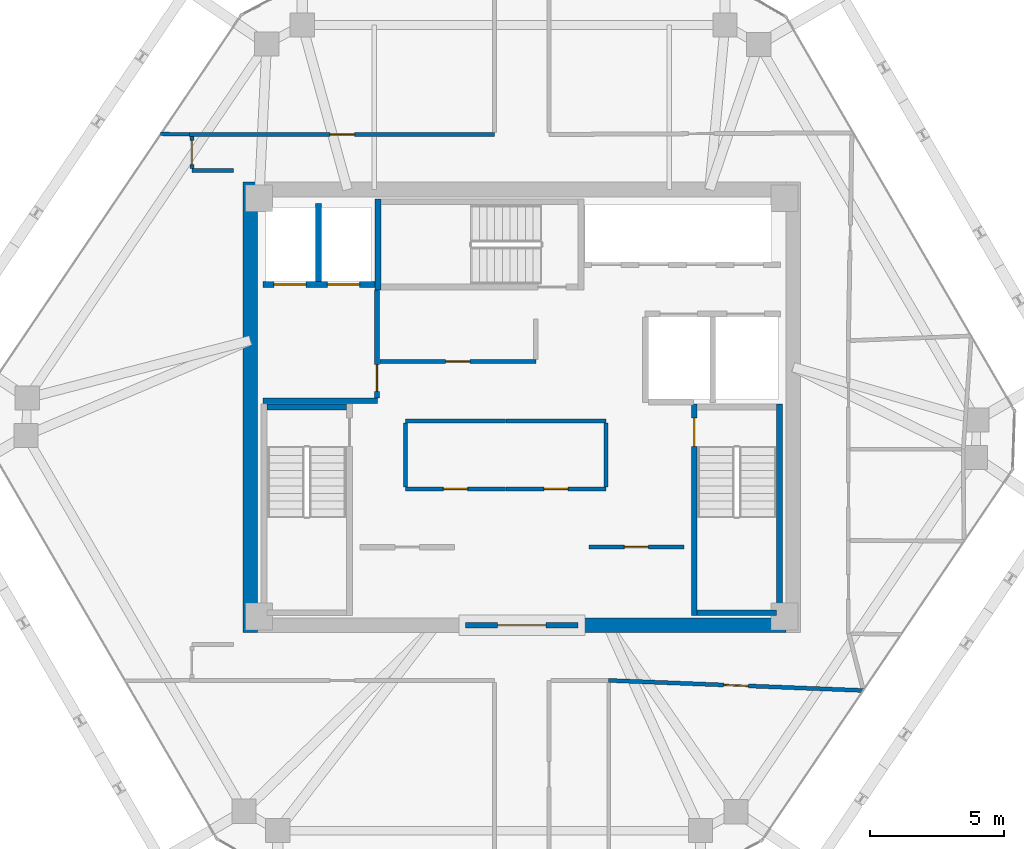
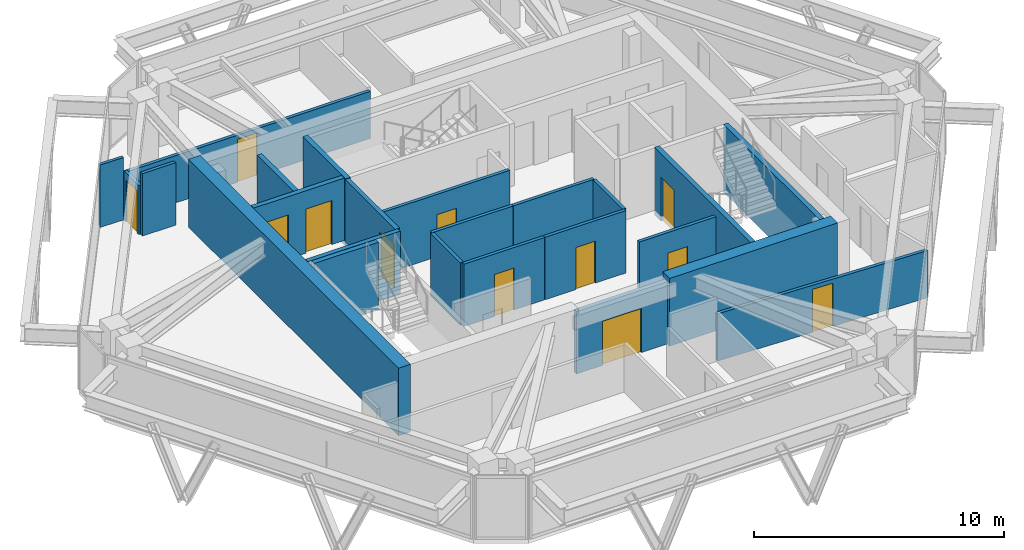
# One storey, part 8 of 11: 25 walls, 12 doors, 12 openings.
"""IFC4 building model written with IfcOpenShell, lengths in metres."""

from ifc_helpers import new_model, si_unit, direction, frame, frame_2d, origin, place, context, subcontext, project, spatial, rectangle, extrude, source, transform, mapped, material, layer, layer_set, type_object, type_shapes, element, fill, save


model = new_model("IFC4")

# Units and contexts
model_context = context("Model", 3, precision=1e-05, world=origin(), true_north=direction((0.0, 1.0)))
body_context = subcontext(model_context, "Body", "Model", "MODEL_VIEW")
ifc_project = project(units=[si_unit("LENGTHUNIT", "METRE"), si_unit("AREAUNIT", "SQUARE_METRE"), si_unit("VOLUMEUNIT", "CUBIC_METRE"), si_unit("PLANEANGLEUNIT", "RADIAN"), si_unit("MASSUNIT", "GRAM", prefix="KILO")], contexts=[model_context])

# Site, building, storey
site_placement = place(None, origin())
site = spatial("IfcSite", under=ifc_project, at=site_placement, CompositionType="ELEMENT")
building_placement = place(site_placement, origin())
building = spatial("IfcBuilding", under=site, at=building_placement, Name="Durnholm Broadcast Tower", CompositionType="ELEMENT")
storey_placement = place(building_placement, frame((0.0, 0.0, 224.89990234375)))
storey = spatial("IfcBuildingStorey", under=building, at=storey_placement, Name="L62", CompositionType="ELEMENT", Elevation=224.89990234375)

# Walls
ifc_material_1 = material(Name="Concrete C70/85", Category="concrete")
ifc_layer_1 = layer(ifc_material_1, 0.550048828125)
ifc_layer_set_1 = layer_set([ifc_layer_1], Name="Concrete C70/85")
wall_type_1 = type_object("IfcWallType", Name="WALL-CW-550", PredefinedType="SHEAR", material=ifc_layer_set_1)
wall_1_placement = place(storey_placement, frame((-10.125, -8.39990234375, 0.0), z_axis=(0.0, 0.0, 1.0), x_axis=(0.0, 1.0, 0.0)))
element("IfcWall", 1, at=wall_1_placement, inside=storey, type_object=wall_type_1, Name="L62 central core shear wall CW-WEST", PredefinedType="SHEAR", context=body_context, shape_type="SweptSolid", body=[
    extrude(rectangle(XDim=16.7998046875, YDim=0.550048828125, at=frame_2d((8.39990234375, 0.0))), origin(), (0.0, 0.0, 1.0), 3.300048828125),
])
wall_2_placement = place(storey_placement, frame((2.10009765625, -8.125, 0.0), z_axis=(0.0, 0.0, 1.0), x_axis=(1.0, 0.0, 0.0)))
element("IfcWall", 2, at=wall_2_placement, inside=storey, type_object=wall_type_1, Name="L62 central core shear wall CW-S2", PredefinedType="SHEAR", context=body_context, shape_type="SweptSolid", body=[
    extrude(rectangle(XDim=7.75, YDim=0.550048828125, at=frame_2d((3.875, 0.0))), origin(), (0.0, 0.0, 1.0), 3.300048828125),
])

# Wall, opening, door
ifc_material_2 = material(Name="Fire-Rated Gypsum Shaftwall", Category="concrete")
ifc_layer_2 = layer(ifc_material_2, 0.199951171875)
ifc_layer_set_2 = layer_set([ifc_layer_2], Name="Fire-Rated Gypsum Shaftwall")
wall_type_2 = type_object("IfcWallType", Name="WALL-LOB-200", PredefinedType="SOLIDWALL", material=ifc_layer_set_2)
wall_3_placement = place(storey_placement, frame((-2.10009765625, -8.125, 0.0), z_axis=(0.0, 0.0, 1.0), x_axis=(1.0, 0.0, 0.0)))
wall_3 = element("IfcWall", 3, at=wall_3_placement, inside=storey, type_object=wall_type_2, Name="L62 south core lobby fire screen", PredefinedType="SOLIDWALL", context=body_context, shape_type="SweptSolid", body=[
    extrude(rectangle(XDim=4.2001953125, YDim=0.199951171875, at=frame_2d((2.10009765625, 0.0))), origin(), (0.0, 0.0, 1.0), 3.045166015625),
])
opening_1_placement = place(wall_3_placement, frame((1.199951171875, 0.0, 0.0)))
opening_1 = element("IfcOpeningElement", 4, at=opening_1_placement, cuts=wall_3, Name="Opening DP-60", PredefinedType="OPENING", context=body_context, shape_type="SweptSolid", body=[
    extrude(rectangle(XDim=1.800048828125, YDim=2.14990234375, at=frame_2d((0.89990234375, 1.074951171875))), frame((0.0, 0.10986328125, 0.0), z_axis=(0.0, -1.0, 0.0), x_axis=(1.0, 0.0, 0.0)), (0.0, 0.0, 1.0), 0.219970703125),
])
ifc_material_3 = material(Name="Fire-Rated Double Corridor Door", Category="steel")
ifc_layer_3 = layer(ifc_material_3, 0.050048828125)
ifc_layer_set_3 = layer_set([ifc_layer_3], Name="Fire-Rated Double Corridor Door")
door_type_1 = type_object("IfcDoorType", Name="DOOR-PAIR-FD60", OperationType="DOUBLE_DOOR_SINGLE_SWING", PredefinedType="DOOR", material=ifc_layer_set_3)
shared_shape_1 = source(origin(), body_context, "Body", "SweptSolid", [
    extrude(rectangle(XDim=1.800048828125, YDim=2.14990234375, at=frame_2d((0.89990234375, 1.074951171875))), frame((0.0, 0.02490234375, 0.0), z_axis=(0.0, -1.0, 0.0), x_axis=(1.0, 0.0, 0.0)), (0.0, 0.0, 1.0), 0.050048828125),
])
type_shapes(door_type_1, [shared_shape_1])
door_1_placement = place(opening_1_placement, origin())
door_1 = element("IfcDoor", 5, at=door_1_placement, inside=storey, type_object=door_type_1, Name="L62 south core lobby double fire door", OperationType="DOUBLE_DOOR_SINGLE_SWING", OverallHeight=2.14990234375, OverallWidth=1.800048828125, PredefinedType="DOOR", context=body_context, shape_type="MappedRepresentation", body=[
    mapped(shared_shape_1, transform((0.0, 0.0, 0.0), x_axis=(1.0, 0.0, 0.0), y_axis=(0.0, 1.0, 0.0), z_axis=(0.0, 0.0, 1.0), scale=1.0)),
])
fill(opening_1, door_1)

# Wall
wall_4_placement = place(storey_placement, frame((-9.64990234375, 0.25, 0.0), z_axis=(0.0, 0.0, 1.0), x_axis=(1.0, 0.0, 0.0)))
element("IfcWall", 6, at=wall_4_placement, inside=storey, type_object=wall_type_2, Name="L62 Fire Service Access Elevator lobby south wall", PredefinedType="SOLIDWALL", context=body_context, shape_type="SweptSolid", body=[
    extrude(rectangle(XDim=4.27001953125, YDim=0.199951171875, at=frame_2d((2.135009765625, 0.0))), origin(), (0.0, 0.0, 1.0), 3.045166015625),
])

# Wall, opening, door
wall_5_placement = place(storey_placement, frame((-5.39990234375, 0.35400390625, 0.0), z_axis=(0.0, 0.0, 1.0), x_axis=(0.0, 1.0, 0.0)))
wall_5 = element("IfcWall", 7, at=wall_5_placement, inside=storey, type_object=wall_type_2, Name="L62 Fire Service Access Elevator lobby east fire wall", PredefinedType="SOLIDWALL", context=body_context, shape_type="SweptSolid", body=[
    extrude(rectangle(XDim=4.02587890625, YDim=0.199951171875, at=frame_2d((2.012939453125, 0.0))), origin(), (0.0, 0.0, 1.0), 3.045166015625),
])
opening_2_placement = place(wall_5_placement, frame((0.24609375, 0.0, 0.0)))
opening_2 = element("IfcOpeningElement", 8, at=opening_2_placement, cuts=wall_5, Name="Opening DL-60L", PredefinedType="OPENING", context=body_context, shape_type="SweptSolid", body=[
    extrude(rectangle(XDim=1.0, YDim=2.14990234375, at=frame_2d((0.5, 1.074951171875))), frame((0.0, 0.10986328125, 0.0), z_axis=(0.0, -1.0, 0.0), x_axis=(1.0, 0.0, 0.0)), (0.0, 0.0, 1.0), 0.219970703125),
])
ifc_material_4 = material(Name="Fire-Rated Timber/Steel Door", Category="steel")
ifc_layer_4 = layer(ifc_material_4, 0.050048828125)
ifc_layer_set_4 = layer_set([ifc_layer_4], Name="Fire-Rated Timber/Steel Door")
door_type_2 = type_object("IfcDoorType", Name="DOOR-LOB-FD60-L", OperationType="NOTDEFINED", PredefinedType="DOOR", material=ifc_layer_set_4)
shared_shape_2 = source(origin(), body_context, "Body", "SweptSolid", [
    extrude(rectangle(XDim=1.0, YDim=2.14990234375, at=frame_2d((0.5, 1.074951171875))), frame((0.0, 0.02490234375, 0.0), z_axis=(0.0, -1.0, 0.0), x_axis=(1.0, 0.0, 0.0)), (0.0, 0.0, 1.0), 0.050048828125),
])
type_shapes(door_type_2, [shared_shape_2])
door_2_placement = place(opening_2_placement, origin())
door_2 = element("IfcDoor", 9, at=door_2_placement, inside=storey, type_object=door_type_2, Name="L62 Fire Service Access Elevator lobby smoke door", OperationType="SINGLE_SWING_LEFT", OverallHeight=2.14990234375, OverallWidth=1.0, PredefinedType="DOOR", context=body_context, shape_type="MappedRepresentation", body=[
    mapped(shared_shape_2, transform((0.0, 0.0, 0.0), x_axis=(1.0, 0.0, 0.0), y_axis=(0.0, 1.0, 0.0), z_axis=(0.0, 0.0, 1.0), scale=1.0)),
])
fill(opening_2, door_2)

# Wall
ifc_material_5 = material(Name="Gypsum Metal Stud Partition", Category="concrete")
ifc_layer_5 = layer(ifc_material_5, 0.135009765625)
ifc_layer_set_5 = layer_set([ifc_layer_5], Name="Gypsum Metal Stud Partition")
wall_type_3 = type_object("IfcWallType", Name="WALL-PART-135", PredefinedType="PARTITIONING", material=ifc_layer_set_5)
wall_6_placement = place(storey_placement, frame((-12.389892578125, 10.181396484375, 0.0), z_axis=(0.0, 0.0, 1.0), x_axis=(-0.999812128272, 0.019383192748, 0.0)))
element("IfcWall", 10, at=wall_6_placement, inside=storey, type_object=wall_type_3, Name="L62 room dividing partition 9.15", PredefinedType="PARTITIONING", context=body_context, shape_type="SweptSolid", body=[
    extrude(rectangle(XDim=1.083251953125, YDim=0.135009765625, at=frame_2d((0.54150390625, 0.0))), origin(), (0.0, 0.0, 1.0), 3.045166015625),
])

# Wall, opening, door
ifc_material_6 = material(Name="Acoustic Gypsum Stud Partition", Category="concrete")
ifc_layer_6 = layer(ifc_material_6, 0.14990234375)
ifc_layer_set_6 = layer_set([ifc_layer_6], Name="Acoustic Gypsum Stud Partition")
wall_type_4 = type_object("IfcWallType", Name="WALL-PART-150", PredefinedType="PARTITIONING", material=ifc_layer_set_6)
wall_7_placement = place(storey_placement, frame((2.510009765625, -5.2099609375, 0.0), z_axis=(0.0, 0.0, 1.0), x_axis=(1.0, 0.0, 0.0)))
wall_7 = element("IfcWall", 11, at=wall_7_placement, inside=storey, type_object=wall_type_4, Name="L62 Editorial Beverage Pantry corridor partition", PredefinedType="PARTITIONING", context=body_context, shape_type="SweptSolid", body=[
    extrude(rectangle(XDim=3.530029296875, YDim=0.14990234375, at=frame_2d((1.76513671875, 0.0))), origin(), (0.0, 0.0, 1.0), 3.045166015625),
])
opening_3_placement = place(wall_7_placement, frame((1.31494140625, 0.0, 0.0)))
opening_3 = element("IfcOpeningElement", 12, at=opening_3_placement, cuts=wall_7, Name="Opening DC-60R", PredefinedType="OPENING", context=body_context, shape_type="SweptSolid", body=[
    extrude(rectangle(XDim=0.89990234375, YDim=2.050048828125, at=frame_2d((0.449951171875, 1.02490234375))), frame((0.0, 0.0849609375, 0.0), z_axis=(0.0, -1.0, 0.0), x_axis=(1.0, 0.0, 0.0)), (0.0, 0.0, 1.0), 0.169921875),
])
ifc_material_7 = material(Name="Fire-Rated Core Service Door", Category="steel")
ifc_layer_7 = layer(ifc_material_7, 0.050048828125)
ifc_layer_set_7 = layer_set([ifc_layer_7], Name="Fire-Rated Core Service Door")
door_type_3 = type_object("IfcDoorType", Name="DOOR-CORE-FD60-R", OperationType="NOTDEFINED", PredefinedType="DOOR", material=ifc_layer_set_7)
shared_shape_3 = source(origin(), body_context, "Body", "SweptSolid", [
    extrude(rectangle(XDim=0.89990234375, YDim=2.050048828125, at=frame_2d((0.449951171875, 1.02490234375))), frame((0.0, 0.02490234375, 0.0), z_axis=(0.0, -1.0, 0.0), x_axis=(1.0, 0.0, 0.0)), (0.0, 0.0, 1.0), 0.050048828125),
])
type_shapes(door_type_3, [shared_shape_3])
door_3_placement = place(opening_3_placement, origin())
door_3 = element("IfcDoor", 13, at=door_3_placement, inside=storey, type_object=door_type_3, Name="L62 Editorial Beverage Pantry entrance door", OperationType="SINGLE_SWING_RIGHT", OverallHeight=2.050048828125, OverallWidth=0.89990234375, PredefinedType="DOOR", context=body_context, shape_type="MappedRepresentation", body=[
    mapped(shared_shape_3, transform((0.0, 0.0, 0.0), x_axis=(1.0, 0.0, 0.0), y_axis=(0.0, 1.0, 0.0), z_axis=(0.0, 0.0, 1.0), scale=1.0)),
])
fill(opening_3, door_3)

wall_8_placement = place(storey_placement, frame((-0.610107421875, -3.0400390625, 0.0), z_axis=(0.0, 0.0, 1.0), x_axis=(-1.0, 0.0, 0.0)))
wall_8 = element("IfcWall", 14, at=wall_8_placement, inside=storey, type_object=wall_type_4, Name="L62 Digital Tape Archive Store corridor partition", PredefinedType="PARTITIONING", context=body_context, shape_type="SweptSolid", body=[
    extrude(rectangle(XDim=3.72998046875, YDim=0.14990234375, at=frame_2d((1.864990234375, 0.0))), origin(), (0.0, 0.0, 1.0), 3.045166015625),
])
opening_4_placement = place(wall_8_placement, frame((1.4150390625, 0.0, 0.0)))
opening_4 = element("IfcOpeningElement", 15, at=opening_4_placement, cuts=wall_8, Name="Opening DC-60L", PredefinedType="OPENING", context=body_context, shape_type="SweptSolid", body=[
    extrude(rectangle(XDim=0.89990234375, YDim=2.050048828125, at=frame_2d((0.449951171875, 1.02490234375))), frame((0.0, 0.0849609375, 0.0), z_axis=(0.0, -1.0, 0.0), x_axis=(1.0, 0.0, 0.0)), (0.0, 0.0, 1.0), 0.169921875),
])
ifc_layer_8 = layer(ifc_material_7, 0.050048828125)
ifc_layer_set_8 = layer_set([ifc_layer_8], Name="Fire-Rated Core Service Door")
door_type_4 = type_object("IfcDoorType", Name="DOOR-CORE-FD60-L", OperationType="NOTDEFINED", PredefinedType="DOOR", material=ifc_layer_set_8)
shared_shape_4 = source(origin(), body_context, "Body", "SweptSolid", [
    extrude(rectangle(XDim=0.89990234375, YDim=2.050048828125, at=frame_2d((0.449951171875, 1.02490234375))), frame((0.0, 0.02490234375, 0.0), z_axis=(0.0, -1.0, 0.0), x_axis=(1.0, 0.0, 0.0)), (0.0, 0.0, 1.0), 0.050048828125),
])
type_shapes(door_type_4, [shared_shape_4])
door_4_placement = place(opening_4_placement, origin())
door_4 = element("IfcDoor", 16, at=door_4_placement, inside=storey, type_object=door_type_4, Name="L62 Digital Tape Archive Store entrance door", OperationType="SINGLE_SWING_LEFT", OverallHeight=2.050048828125, OverallWidth=0.89990234375, PredefinedType="DOOR", context=body_context, shape_type="MappedRepresentation", body=[
    mapped(shared_shape_4, transform((0.0, 0.0, 0.0), x_axis=(1.0, 0.0, 0.0), y_axis=(0.0, 1.0, 0.0), z_axis=(0.0, 0.0, 1.0), scale=1.0)),
])
fill(opening_4, door_4)

# Walls
wall_9_placement = place(storey_placement, frame((-4.340087890625, -0.510009765625, 0.0), z_axis=(0.0, 0.0, 1.0), x_axis=(1.0, 0.0, 0.0)))
element("IfcWall", 17, at=wall_9_placement, inside=storey, type_object=wall_type_4, Name="L62 Digital Tape Archive Store corridor partition", PredefinedType="PARTITIONING", context=body_context, shape_type="SweptSolid", body=[
    extrude(rectangle(XDim=3.72998046875, YDim=0.14990234375, at=frame_2d((1.864990234375, 0.0))), origin(), (0.0, 0.0, 1.0), 3.045166015625),
])
wall_10_placement = place(storey_placement, frame((-4.340087890625, -2.9609375, 0.0), z_axis=(0.0, 0.0, 1.0), x_axis=(0.0, 1.0, 0.0)))
element("IfcWall", 18, at=wall_10_placement, inside=storey, type_object=wall_type_4, Name="L62 Digital Tape Archive Store corridor partition", PredefinedType="PARTITIONING", context=body_context, shape_type="SweptSolid", body=[
    extrude(rectangle(XDim=2.371826171875, YDim=0.14990234375, at=frame_2d((1.18603515625, 0.0))), origin(), (0.0, 0.0, 1.0), 3.045166015625),
])

# Wall, opening, door
wall_11_placement = place(storey_placement, frame((3.139892578125, -3.0400390625, 0.0), z_axis=(0.0, 0.0, 1.0), x_axis=(-1.0, 0.0, 0.0)))
wall_11 = element("IfcWall", 19, at=wall_11_placement, inside=storey, type_object=wall_type_4, Name="L62 High-Rise Refreshment Pantry corridor partition", PredefinedType="PARTITIONING", context=body_context, shape_type="SweptSolid", body=[
    extrude(rectangle(XDim=3.72998046875, YDim=0.14990234375, at=frame_2d((1.864990234375, 0.0))), origin(), (0.0, 0.0, 1.0), 3.045166015625),
])
opening_5_placement = place(wall_11_placement, frame((1.4150390625, 0.0, 0.0)))
opening_5 = element("IfcOpeningElement", 20, at=opening_5_placement, cuts=wall_11, Name="Opening DC-60R", PredefinedType="OPENING", context=body_context, shape_type="SweptSolid", body=[
    extrude(rectangle(XDim=0.89990234375, YDim=2.050048828125, at=frame_2d((0.449951171875, 1.02490234375))), frame((0.0, 0.0849609375, 0.0), z_axis=(0.0, -1.0, 0.0), x_axis=(1.0, 0.0, 0.0)), (0.0, 0.0, 1.0), 0.169921875),
])
door_5_placement = place(opening_5_placement, origin())
door_5 = element("IfcDoor", 21, at=door_5_placement, inside=storey, type_object=door_type_3, Name="L62 High-Rise Refreshment Pantry entrance door", OperationType="SINGLE_SWING_RIGHT", OverallHeight=2.050048828125, OverallWidth=0.89990234375, PredefinedType="DOOR", context=body_context, shape_type="MappedRepresentation", body=[
    mapped(shared_shape_3, transform((0.0, 0.0, 0.0), x_axis=(1.0, 0.0, 0.0), y_axis=(0.0, 1.0, 0.0), z_axis=(0.0, 0.0, 1.0), scale=1.0)),
])
fill(opening_5, door_5)

# Walls
wall_12_placement = place(storey_placement, frame((-0.590087890625, -0.510009765625, 0.0), z_axis=(0.0, 0.0, 1.0), x_axis=(1.0, 0.0, 0.0)))
element("IfcWall", 22, at=wall_12_placement, inside=storey, type_object=wall_type_4, Name="L62 High-Rise Refreshment Pantry corridor partition", PredefinedType="PARTITIONING", context=body_context, shape_type="SweptSolid", body=[
    extrude(rectangle(XDim=3.72998046875, YDim=0.14990234375, at=frame_2d((1.864990234375, 0.0))), origin(), (0.0, 0.0, 1.0), 3.045166015625),
])
wall_13_placement = place(storey_placement, frame((3.139892578125, -0.589111328125, 0.0), z_axis=(0.0, 0.0, 1.0), x_axis=(0.0, -1.0, 0.0)))
element("IfcWall", 23, at=wall_13_placement, inside=storey, type_object=wall_type_4, Name="L62 High-Rise Refreshment Pantry corridor partition", PredefinedType="PARTITIONING", context=body_context, shape_type="SweptSolid", body=[
    extrude(rectangle(XDim=2.371826171875, YDim=0.14990234375, at=frame_2d((1.18603515625, 0.0))), origin(), (0.0, 0.0, 1.0), 3.045166015625),
])

# Wall, opening, door
wall_14_placement = place(storey_placement, frame((0.52001953125, 1.7099609375, 0.0), z_axis=(0.0, 0.0, 1.0), x_axis=(-1.0, 0.0, 0.0)))
wall_14 = element("IfcWall", 24, at=wall_14_placement, inside=storey, type_object=wall_type_4, Name="L62 Core Housekeeping Room corridor partition", PredefinedType="PARTITIONING", context=body_context, shape_type="SweptSolid", body=[
    extrude(rectangle(XDim=5.81591796875, YDim=0.14990234375, at=frame_2d((2.907958984375, 0.0))), origin(), (0.0, 0.0, 1.0), 3.045166015625),
])
opening_6_placement = place(wall_14_placement, frame((2.4580078125, 0.0, 0.0)))
opening_6 = element("IfcOpeningElement", 25, at=opening_6_placement, cuts=wall_14, Name="Opening DC-60L", PredefinedType="OPENING", context=body_context, shape_type="SweptSolid", body=[
    extrude(rectangle(XDim=0.89990234375, YDim=2.050048828125, at=frame_2d((0.449951171875, 1.02490234375))), frame((0.0, 0.0849609375, 0.0), z_axis=(0.0, -1.0, 0.0), x_axis=(1.0, 0.0, 0.0)), (0.0, 0.0, 1.0), 0.169921875),
])
door_6_placement = place(opening_6_placement, origin())
door_6 = element("IfcDoor", 26, at=door_6_placement, inside=storey, type_object=door_type_4, Name="L62 Core Housekeeping Room entrance door", OperationType="SINGLE_SWING_LEFT", OverallHeight=2.050048828125, OverallWidth=0.89990234375, PredefinedType="DOOR", context=body_context, shape_type="MappedRepresentation", body=[
    mapped(shared_shape_4, transform((0.0, 0.0, 0.0), x_axis=(1.0, 0.0, 0.0), y_axis=(0.0, 1.0, 0.0), z_axis=(0.0, 0.0, 1.0), scale=1.0)),
])
fill(opening_6, door_6)

wall_15_placement = place(storey_placement, frame((-1.010009765625, 10.179931640625, 0.0), z_axis=(0.0, 0.0, 1.0), x_axis=(-1.0, 0.0, 0.0)))
wall_15 = element("IfcWall", 27, at=wall_15_placement, inside=storey, type_object=wall_type_4, Name="L62 Open Plan Broadcast Workspace 2 corridor partition", PredefinedType="PARTITIONING", context=body_context, shape_type="SweptSolid", body=[
    extrude(rectangle(XDim=11.3798828125, YDim=0.14990234375, at=frame_2d((5.68994140625, 0.0))), origin(), (0.0, 0.0, 1.0), 2.301513671875),
])
opening_7_placement = place(wall_15_placement, frame((5.22998046875, 0.0, 0.0)))
opening_7 = element("IfcOpeningElement", 28, at=opening_7_placement, cuts=wall_15, Name="Opening DR-92L", PredefinedType="OPENING", context=body_context, shape_type="SweptSolid", body=[
    extrude(rectangle(XDim=0.919921875, YDim=2.10009765625, at=frame_2d((0.4599609375, 1.050048828125))), frame((0.0, 0.0849609375, 0.0), z_axis=(0.0, -1.0, 0.0), x_axis=(1.0, 0.0, 0.0)), (0.0, 0.0, 1.0), 0.169921875),
])
ifc_material_8 = material(Name="Oak Veneer Office Door", Category="wood")
ifc_layer_9 = layer(ifc_material_8, 0.050048828125)
ifc_layer_set_9 = layer_set([ifc_layer_9], Name="Oak Veneer Office Door")
door_type_5 = type_object("IfcDoorType", Name="DOOR-RM-920L", OperationType="NOTDEFINED", PredefinedType="DOOR", material=ifc_layer_set_9)
shared_shape_5 = source(origin(), body_context, "Body", "SweptSolid", [
    extrude(rectangle(XDim=0.919921875, YDim=2.10009765625, at=frame_2d((0.4599609375, 1.050048828125))), frame((0.0, 0.02490234375, 0.0), z_axis=(0.0, -1.0, 0.0), x_axis=(1.0, 0.0, 0.0)), (0.0, 0.0, 1.0), 0.050048828125),
])
type_shapes(door_type_5, [shared_shape_5])
door_7_placement = place(opening_7_placement, origin())
door_7 = element("IfcDoor", 29, at=door_7_placement, inside=storey, type_object=door_type_5, Name="L62 Open Plan Broadcast Workspace 2 entrance door", OperationType="SINGLE_SWING_LEFT", OverallHeight=2.10009765625, OverallWidth=0.919921875, PredefinedType="DOOR", context=body_context, shape_type="MappedRepresentation", body=[
    mapped(shared_shape_5, transform((0.0, 0.0, 0.0), x_axis=(1.0, 0.0, 0.0), y_axis=(0.0, 1.0, 0.0), z_axis=(0.0, 0.0, 1.0), scale=1.0)),
])
fill(opening_7, door_7)

wall_16_placement = place(storey_placement, frame((3.239990234375, -10.18310546875, 0.0), z_axis=(0.0, 0.0, 1.0), x_axis=(0.999222675532, -0.039421373675, 0.0)))
wall_16 = element("IfcWall", 30, at=wall_16_placement, inside=storey, type_object=wall_type_4, Name="L62 Open Plan Broadcast Workspace 6 corridor partition", PredefinedType="PARTITIONING", context=body_context, shape_type="SweptSolid", body=[
    extrude(rectangle(XDim=9.50634765625, YDim=0.14990234375, at=frame_2d((4.753173828125, 0.0))), origin(), (0.0, 0.0, 1.0), 2.301513671875),
])
opening_8_placement = place(wall_16_placement, frame((4.293212890625, 0.0, 0.0)))
opening_8 = element("IfcOpeningElement", 31, at=opening_8_placement, cuts=wall_16, Name="Opening DR-92L", PredefinedType="OPENING", context=body_context, shape_type="SweptSolid", body=[
    extrude(rectangle(XDim=0.919921875, YDim=2.10009765625, at=frame_2d((0.4599609375, 1.050048828125))), frame((0.0, 0.0849609375, 0.0), z_axis=(0.0, -1.0, 0.0), x_axis=(1.0, 0.0, 0.0)), (0.0, 0.0, 1.0), 0.169921875),
])
door_8_placement = place(opening_8_placement, origin())
door_8 = element("IfcDoor", 32, at=door_8_placement, inside=storey, type_object=door_type_5, Name="L62 Open Plan Broadcast Workspace 6 entrance door", OperationType="SINGLE_SWING_LEFT", OverallHeight=2.10009765625, OverallWidth=0.919921875, PredefinedType="DOOR", context=body_context, shape_type="MappedRepresentation", body=[
    mapped(shared_shape_5, transform((0.0, 0.0, 0.0), x_axis=(1.0, 0.0, 0.0), y_axis=(0.0, 1.0, 0.0), z_axis=(0.0, 0.0, 1.0), scale=1.0)),
])
fill(opening_8, door_8)

# Wall
wall_17_placement = place(storey_placement, frame((-12.31005859375, 8.840087890625, 0.0), z_axis=(0.0, 0.0, 1.0), x_axis=(1.0, 0.0, 0.0)))
element("IfcWall", 33, at=wall_17_placement, inside=storey, type_object=wall_type_4, Name="L62 Executive Board Auditorium corridor partition", PredefinedType="PARTITIONING", context=body_context, shape_type="SweptSolid", body=[
    extrude(rectangle(XDim=1.550048828125, YDim=0.14990234375, at=frame_2d((0.77490234375, 0.0))), origin(), (0.0, 0.0, 1.0), 3.045166015625),
])

# Wall, opening, door
wall_18_placement = place(storey_placement, frame((-12.31005859375, 10.10107421875, 0.0), z_axis=(0.0, 0.0, 1.0), x_axis=(0.0, -1.0, 0.0)))
wall_18 = element("IfcWall", 34, at=wall_18_placement, inside=storey, type_object=wall_type_4, Name="L62 Executive Board Auditorium corridor partition", PredefinedType="PARTITIONING", context=body_context, shape_type="SweptSolid", body=[
    extrude(rectangle(XDim=1.18212890625, YDim=0.14990234375, at=frame_2d((0.591064453125, 0.0))), origin(), (0.0, 0.0, 1.0), 2.39892578125),
])
opening_9_placement = place(wall_18_placement, frame((0.14111328125, 0.0, 0.0)))
opening_9 = element("IfcOpeningElement", 35, at=opening_9_placement, cuts=wall_18, Name="Opening DW-90L", PredefinedType="OPENING", context=body_context, shape_type="SweptSolid", body=[
    extrude(rectangle(XDim=0.89990234375, YDim=2.050048828125, at=frame_2d((0.449951171875, 1.02490234375))), frame((0.0, 0.0849609375, 0.0), z_axis=(0.0, -1.0, 0.0), x_axis=(1.0, 0.0, 0.0)), (0.0, 0.0, 1.0), 0.169921875),
])
ifc_material_9 = material(Name="Laminate Restroom Door", Category="steel")
ifc_layer_10 = layer(ifc_material_9, 0.050048828125)
ifc_layer_set_10 = layer_set([ifc_layer_10], Name="Laminate Restroom Door")
door_type_6 = type_object("IfcDoorType", Name="DOOR-WC-900L", OperationType="NOTDEFINED", PredefinedType="DOOR", material=ifc_layer_set_10)
shared_shape_6 = source(origin(), body_context, "Body", "SweptSolid", [
    extrude(rectangle(XDim=0.89990234375, YDim=2.050048828125, at=frame_2d((0.449951171875, 1.02490234375))), frame((0.0, 0.02490234375, 0.0), z_axis=(0.0, -1.0, 0.0), x_axis=(1.0, 0.0, 0.0)), (0.0, 0.0, 1.0), 0.050048828125),
])
type_shapes(door_type_6, [shared_shape_6])
door_9_placement = place(opening_9_placement, origin())
door_9 = element("IfcDoor", 36, at=door_9_placement, inside=storey, type_object=door_type_6, Name="L62 Executive Board Auditorium entrance door", OperationType="SINGLE_SWING_LEFT", OverallHeight=2.050048828125, OverallWidth=0.89990234375, PredefinedType="DOOR", context=body_context, shape_type="MappedRepresentation", body=[
    mapped(shared_shape_6, transform((0.0, 0.0, 0.0), x_axis=(1.0, 0.0, 0.0), y_axis=(0.0, 1.0, 0.0), z_axis=(0.0, 0.0, 1.0), scale=1.0)),
])
fill(opening_9, door_9)

# Wall, openings, doors
ifc_material_10 = material(Name="Concrete Blockwork C30/37", Category="masonry")
ifc_layer_11 = layer(ifc_material_10, 0.219970703125)
ifc_layer_set_11 = layer_set([ifc_layer_11], Name="Concrete Blockwork C30/37")
wall_type_5 = type_object("IfcWallType", Name="WALL-SHAFT-220", PredefinedType="SOLIDWALL", material=ifc_layer_set_11)
wall_19_placement = place(storey_placement, frame((-9.64990234375, 4.580078125, 0.0), z_axis=(0.0, 0.0, 1.0), x_axis=(1.0, 0.0, 0.0)))
wall_19 = element("IfcWall", 37, at=wall_19_placement, inside=storey, type_object=wall_type_5, Name="L62 FSAE hoistway front fire wall", PredefinedType="SOLIDWALL", context=body_context, shape_type="SweptSolid", body=[
    extrude(rectangle(XDim=4.1748046875, YDim=0.219970703125, at=frame_2d((2.08740234375, 0.0))), origin(), (0.0, 0.0, 1.0), 3.045166015625),
])
opening_10_placement = place(wall_19_placement, frame((0.39990234375, 0.0, 0.0)))
opening_10 = element("IfcOpeningElement", 38, at=opening_10_placement, cuts=wall_19, Name="Opening LD-FSAE-2", PredefinedType="OPENING", context=body_context, shape_type="SweptSolid", body=[
    extrude(rectangle(XDim=1.199951171875, YDim=2.14990234375, at=frame_2d((0.60009765625, 1.074951171875))), frame((0.0, 0.1201171875, 0.0), z_axis=(0.0, -1.0, 0.0), x_axis=(1.0, 0.0, 0.0)), (0.0, 0.0, 1.0), 0.239990234375),
])
opening_11_placement = place(wall_19_placement, frame((2.39990234375, 0.0, 0.0)))
opening_11 = element("IfcOpeningElement", 39, at=opening_11_placement, cuts=wall_19, Name="Opening LD-FSAE-1", PredefinedType="OPENING", context=body_context, shape_type="SweptSolid", body=[
    extrude(rectangle(XDim=1.199951171875, YDim=2.14990234375, at=frame_2d((0.60009765625, 1.074951171875))), frame((0.0, 0.1201171875, 0.0), z_axis=(0.0, -1.0, 0.0), x_axis=(1.0, 0.0, 0.0)), (0.0, 0.0, 1.0), 0.239990234375),
])
ifc_material_11 = material(Name="Fire Service Access Sliding Landing Door", Category="steel")
ifc_layer_12 = layer(ifc_material_11, 0.050048828125)
ifc_layer_set_12 = layer_set([ifc_layer_12], Name="Fire Service Access Sliding Landing Door")
door_type_7 = type_object("IfcDoorType", Name="DOOR-LIFT-FSAE", OperationType="DOUBLE_DOOR_SLIDING", PredefinedType="DOOR", material=ifc_layer_set_12)
shared_shape_7 = source(origin(), body_context, "Body", "SweptSolid", [
    extrude(rectangle(XDim=1.199951171875, YDim=2.14990234375, at=frame_2d((0.60009765625, 1.074951171875))), frame((0.0, 0.02490234375, 0.0), z_axis=(0.0, -1.0, 0.0), x_axis=(1.0, 0.0, 0.0)), (0.0, 0.0, 1.0), 0.050048828125),
])
type_shapes(door_type_7, [shared_shape_7])
door_10_placement = place(opening_10_placement, origin())
door_10 = element("IfcDoor", 40, at=door_10_placement, inside=storey, type_object=door_type_7, Name="L62 Fire Service Access Elevator FSAE-2 sliding landing door", OperationType="DOUBLE_DOOR_SLIDING", OverallHeight=2.14990234375, OverallWidth=1.199951171875, PredefinedType="DOOR", context=body_context, shape_type="MappedRepresentation", body=[
    mapped(shared_shape_7, transform((0.0, 0.0, 0.0), x_axis=(1.0, 0.0, 0.0), y_axis=(0.0, 1.0, 0.0), z_axis=(0.0, 0.0, 1.0), scale=1.0)),
])
fill(opening_10, door_10)
door_11_placement = place(opening_11_placement, origin())
door_11 = element("IfcDoor", 41, at=door_11_placement, inside=storey, type_object=door_type_7, Name="L62 Fire Service Access Elevator FSAE-1 sliding landing door", OperationType="DOUBLE_DOOR_SLIDING", OverallHeight=2.14990234375, OverallWidth=1.199951171875, PredefinedType="DOOR", context=body_context, shape_type="MappedRepresentation", body=[
    mapped(shared_shape_7, transform((0.0, 0.0, 0.0), x_axis=(1.0, 0.0, 0.0), y_axis=(0.0, 1.0, 0.0), z_axis=(0.0, 0.0, 1.0), scale=1.0)),
])
fill(opening_11, door_11)

# Walls
wall_20_placement = place(storey_placement, frame((-7.580078125, 4.694091796875, 0.0), z_axis=(0.0, 0.0, 1.0), x_axis=(0.0, 1.0, 0.0)))
element("IfcWall", 42, at=wall_20_placement, inside=storey, type_object=wall_type_5, Name="L62 FSAE shaft divider wall", PredefinedType="SOLIDWALL", context=body_context, shape_type="SweptSolid", body=[
    extrude(rectangle(XDim=2.906005859375, YDim=0.219970703125, at=frame_2d((1.453125, 0.0))), origin(), (0.0, 0.0, 1.0), 3.045166015625),
])
ifc_material_12 = material(Name="Concrete C50/60", Category="concrete")
ifc_layer_13 = layer(ifc_material_12, 0.219970703125)
ifc_layer_set_13 = layer_set([ifc_layer_13], Name="Concrete C50/60")
wall_type_6 = type_object("IfcWallType", Name="WALL-SW-220", PredefinedType="SHEAR", material=ifc_layer_set_13)
wall_21_placement = place(storey_placement, frame((-6.5400390625, 0.010009765625, -0.239990234375), z_axis=(0.0, 0.0, 1.0), x_axis=(-1.0, 0.0, 0.0)))
element("IfcWall", 43, at=wall_21_placement, inside=storey, type_object=wall_type_6, Name="L62 stair ST-1 structural shaft wall N", PredefinedType="SHEAR", context=body_context, shape_type="SweptSolid", body=[
    extrude(rectangle(XDim=2.9599609375, YDim=0.219970703125, at=frame_2d((1.47998046875, 0.0))), origin(), (0.0, 0.0, 1.0), 3.300048828125),
])
wall_22_placement = place(storey_placement, frame((9.610107421875, -7.77001953125, -0.239990234375), z_axis=(0.0, 0.0, 1.0), x_axis=(0.0, 1.0, 0.0)))
element("IfcWall", 44, at=wall_22_placement, inside=storey, type_object=wall_type_6, Name="L62 stair ST-2 structural shaft wall E", PredefinedType="SHEAR", context=body_context, shape_type="SweptSolid", body=[
    extrude(rectangle(XDim=7.89013671875, YDim=0.219970703125, at=frame_2d((3.945068359375, 0.0))), origin(), (0.0, 0.0, 1.0), 3.300048828125),
])

# Wall, opening, door
wall_23_placement = place(storey_placement, frame((6.429931640625, 0.1201171875, -0.239990234375), z_axis=(0.0, 0.0, 1.0), x_axis=(0.0, -1.0, 0.0)))
wall_23 = element("IfcWall", 45, at=wall_23_placement, inside=storey, type_object=wall_type_6, Name="L62 stair ST-2 structural shaft wall W", PredefinedType="SHEAR", context=body_context, shape_type="SweptSolid", body=[
    extrude(rectangle(XDim=7.89013671875, YDim=0.219970703125, at=frame_2d((3.945068359375, 0.0))), origin(), (0.0, 0.0, 1.0), 3.300048828125),
])
opening_12_placement = place(wall_23_placement, frame((0.52001953125, 0.0, 0.0)))
opening_12 = element("IfcOpeningElement", 46, at=opening_12_placement, cuts=wall_23, Name="Opening DS-90R", PredefinedType="OPENING", context=body_context, shape_type="SweptSolid", body=[
    extrude(rectangle(XDim=1.050048828125, YDim=2.14990234375, at=frame_2d((0.52490234375, 1.074951171875))), frame((0.0, 0.1201171875, 0.0), z_axis=(0.0, -1.0, 0.0), x_axis=(1.0, 0.0, 0.0)), (0.0, 0.0, 1.0), 0.239990234375),
])
ifc_material_13 = material(Name="Fire-Rated Steel Door", Category="steel")
ifc_layer_14 = layer(ifc_material_13, 0.050048828125)
ifc_layer_set_14 = layer_set([ifc_layer_14], Name="Fire-Rated Steel Door")
door_type_8 = type_object("IfcDoorType", Name="DOOR-ST-FD90-R", OperationType="NOTDEFINED", PredefinedType="DOOR", material=ifc_layer_set_14)
shared_shape_8 = source(origin(), body_context, "Body", "SweptSolid", [
    extrude(rectangle(XDim=1.050048828125, YDim=2.14990234375, at=frame_2d((0.52490234375, 1.074951171875))), frame((0.0, 0.02490234375, 0.0), z_axis=(0.0, -1.0, 0.0), x_axis=(1.0, 0.0, 0.0)), (0.0, 0.0, 1.0), 0.050048828125),
])
type_shapes(door_type_8, [shared_shape_8])
door_12_placement = place(opening_12_placement, origin())
door_12 = element("IfcDoor", 47, at=door_12_placement, inside=storey, type_object=door_type_8, Name="L62 exit stair ST-2 fire door", OperationType="SINGLE_SWING_RIGHT", OverallHeight=2.14990234375, OverallWidth=1.050048828125, PredefinedType="DOOR", context=body_context, shape_type="MappedRepresentation", body=[
    mapped(shared_shape_8, transform((0.0, 0.0, 0.0), x_axis=(1.0, 0.0, 0.0), y_axis=(0.0, 1.0, 0.0), z_axis=(0.0, 0.0, 1.0), scale=1.0)),
])
fill(opening_12, door_12)

# Walls
wall_24_placement = place(storey_placement, frame((6.5400390625, -7.659912109375, -0.239990234375), z_axis=(0.0, 0.0, 1.0), x_axis=(1.0, 0.0, 0.0)))
element("IfcWall", 48, at=wall_24_placement, inside=storey, type_object=wall_type_6, Name="L62 stair ST-2 structural shaft wall S", PredefinedType="SHEAR", context=body_context, shape_type="SweptSolid", body=[
    extrude(rectangle(XDim=2.9599609375, YDim=0.219970703125, at=frame_2d((1.47998046875, 0.0))), origin(), (0.0, 0.0, 1.0), 3.300048828125),
])
wall_25_placement = place(storey_placement, frame((-5.360107421875, 7.780029296875, -0.239990234375), z_axis=(0.0, 0.0, 1.0), x_axis=(0.0, -1.0, 0.0)))
element("IfcWall", 49, at=wall_25_placement, inside=storey, type_object=wall_type_6, Name="L62 stair ST-3 structural shaft wall W", PredefinedType="SHEAR", context=body_context, shape_type="SweptSolid", body=[
    extrude(rectangle(XDim=3.400146484375, YDim=0.219970703125, at=frame_2d((1.7001953125, 0.0))), origin(), (0.0, 0.0, 1.0), 3.300048828125),
])

save(model, "model.ifc")
